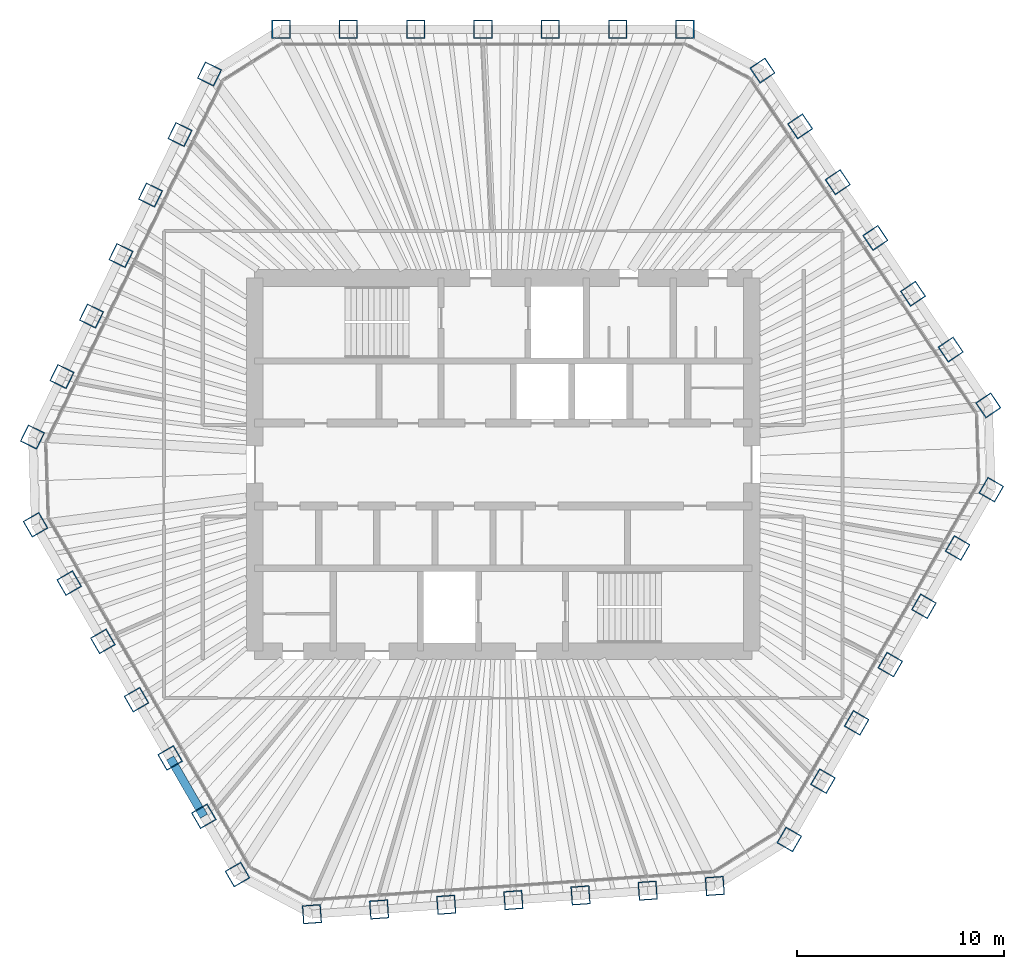
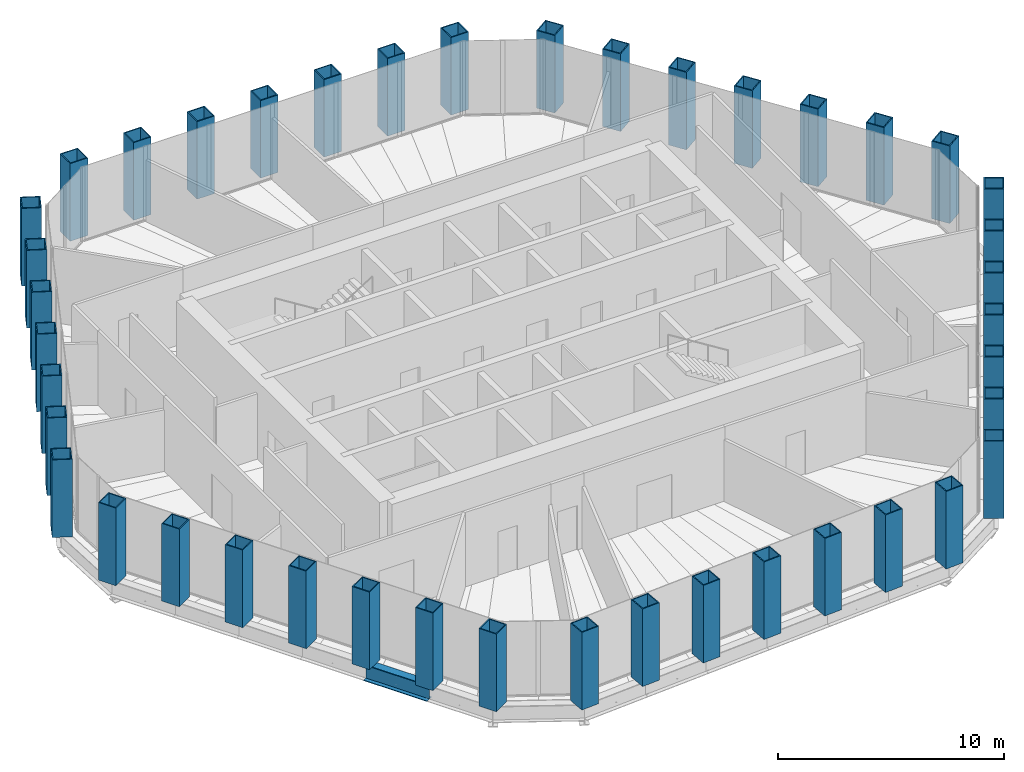
# One storey, part 1 of 14: 42 columns, 1 beam.
"""IFC4 building model written with IfcOpenShell, lengths in metres."""

from ifc_helpers import new_model, si_unit, direction, frame, origin, origin_2d, place, context, subcontext, project, spatial, hollow_rectangle, i_section, extrude, material, material_profile, profile_set, type_object, element, save


model = new_model("IFC4")

# Units and contexts
model_context = context("Model", 3, precision=1e-05, world=origin(), true_north=direction((0.0, 1.0)))
body_context = subcontext(model_context, "Body", "Model", "MODEL_VIEW")
ifc_project = project(units=[si_unit("LENGTHUNIT", "METRE"), si_unit("AREAUNIT", "SQUARE_METRE"), si_unit("VOLUMEUNIT", "CUBIC_METRE"), si_unit("PLANEANGLEUNIT", "RADIAN"), si_unit("MASSUNIT", "GRAM", prefix="KILO")], contexts=[model_context])

# Site, building, storey
site_placement = place(None, origin())
site = spatial("IfcSite", under=ifc_project, at=site_placement, CompositionType="ELEMENT")
building_placement = place(site_placement, origin())
building = spatial("IfcBuilding", under=site, at=building_placement, Name="Qingtian Harvest Tower", CompositionType="ELEMENT")
storey_placement = place(building_placement, frame((0.0, 0.0, 308.199951171875)))
storey = spatial("IfcBuildingStorey", under=building, at=storey_placement, Name="L68", CompositionType="ELEMENT", Elevation=308.199951171875)

# Columns
ifc_material_1 = material(Name="Steel SM570MC", Category="steel")
ifc_material_profile_1 = material_profile(ifc_material_1, hollow_rectangle(XDim=0.89990234375, YDim=0.89990234375, WallThickness=0.050048828125, at=origin_2d()), Name="BOX900x900x50")
ifc_profile_set_1 = profile_set([ifc_material_profile_1], Name="Steel SM570MC")
column_type = type_object("IfcColumnType", Name="Tube column TC8 BOX900x900x50", PredefinedType="COLUMN", material=ifc_profile_set_1)
for number, where, z_axis, x_axis, name in (
    (1, (-10.72216796875, 21.0, 0.0), (0.0, 0.0, 1.0), (-1.0, 0.0, 0.0), "Tube column TC8 N0"),
    (2, (-7.47412109375, 21.0, 0.0), (0.0, 0.0, 1.0), (-1.0, 0.0, 0.0), "Tube column TC8 N1"),
    (3, (-4.226318359375, 21.0, 0.0), (0.0, 0.0, 1.0), (-1.0, 0.0, 0.0), "Tube column TC8 N2"),
    (4, (-0.978271484375, 21.0, 0.0), (0.0, 0.0, 1.0), (-1.0, 0.0, 0.0), "Tube column TC8 N3"),
    (5, (2.269775390625, 21.0, 0.0), (0.0, 0.0, 1.0), (-1.0, 0.0, 0.0), "Tube column TC8 N4"),
    (6, (5.517822265625, 21.0, 0.0), (0.0, 0.0, 1.0), (-1.0, 0.0, 0.0), "Tube column TC8 N5"),
    (7, (8.765869140625, 21.0, 0.0), (0.0, 0.0, 1.0), (-1.0, 0.0, 0.0), "Tube column TC8 N6"),
    (8, (12.508056640625, 19.01025390625, 0.0), (0.0, 0.0, 1.0), (-0.559192903471, 0.829037572555, 0.0), "Tube column TC8 NE0"),
    (9, (14.32421875, 16.317626953125, 0.0), (0.0, 0.0, 1.0), (-0.559192903471, 0.829037572555, 0.0), "Tube column TC8 NE1"),
    (10, (16.140625, 13.624755859375, 0.0), (0.0, 0.0, 1.0), (-0.559192903471, 0.829037572555, 0.0), "Tube column TC8 NE2"),
    (11, (17.956787109375, 10.93212890625, 0.0), (0.0, 0.0, 1.0), (-0.559192903471, 0.829037572555, 0.0), "Tube column TC8 NE3"),
    (12, (19.77294921875, 8.2392578125, 0.0), (0.0, 0.0, 1.0), (-0.559192903471, 0.829037572555, 0.0), "Tube column TC8 NE4"),
    (13, (21.58935546875, 5.546630859375, 0.0), (0.0, 0.0, 1.0), (-0.559192903471, 0.829037572555, 0.0), "Tube column TC8 NE5"),
    (14, (23.405517578125, 2.85400390625, 0.0), (0.0, 0.0, 1.0), (-0.559192903471, 0.829037572555, 0.0), "Tube column TC8 NE6"),
    (15, (23.547607421875, -1.21435546875, 0.0), (0.0, 0.0, 1.0), (0.5, 0.866025403784, 0.0), "Tube column TC8 SE0"),
    (16, (21.923583984375, -4.027099609375, 0.0), (0.0, 0.0, 1.0), (0.5, 0.866025403784, 0.0), "Tube column TC8 SE1"),
    (17, (20.299560546875, -6.840087890625, 0.0), (0.0, 0.0, 1.0), (0.5, 0.866025403784, 0.0), "Tube column TC8 SE2"),
    (18, (18.675537109375, -9.65283203125, 0.0), (0.0, 0.0, 1.0), (0.5, 0.866025403784, 0.0), "Tube column TC8 SE3"),
    (19, (17.051513671875, -12.4658203125, 0.0), (0.0, 0.0, 1.0), (0.5, 0.866025403784, 0.0), "Tube column TC8 SE4"),
    (20, (15.427490234375, -15.278564453125, 0.0), (0.0, 0.0, 1.0), (0.5, 0.866025403784, 0.0), "Tube column TC8 SE5"),
    (21, (13.803466796875, -18.091552734375, 0.0), (0.0, 0.0, 1.0), (0.5, 0.866025403784, 0.0), "Tube column TC8 SE6"),
    (22, (10.20947265625, -20.33740234375, 0.0), (0.0, 0.0, 1.0), (0.99756405026, 0.069756473744, 0.0), "Tube column TC8 S0"),
    (23, (6.96923828125, -20.56396484375, 0.0), (0.0, 0.0, 1.0), (0.99756405026, 0.069756473744, 0.0), "Tube column TC8 S1"),
    (24, (3.729248046875, -20.79052734375, 0.0), (0.0, 0.0, 1.0), (0.99756405026, 0.069756473744, 0.0), "Tube column TC8 S2"),
    (25, (0.489013671875, -21.01708984375, 0.0), (0.0, 0.0, 1.0), (0.99756405026, 0.069756473744, 0.0), "Tube column TC8 S3"),
    (26, (-2.7509765625, -21.24365234375, 0.0), (0.0, 0.0, 1.0), (0.99756405026, 0.069756473744, 0.0), "Tube column TC8 S4"),
    (27, (-5.9912109375, -21.47021484375, 0.0), (0.0, 0.0, 1.0), (0.99756405026, 0.069756473744, 0.0), "Tube column TC8 S5"),
    (28, (-9.231201171875, -21.69677734375, 0.0), (0.0, 0.0, 1.0), (0.99756405026, 0.069756473744, 0.0), "Tube column TC8 S6"),
    (29, (-12.825439453125, -19.78564453125, 0.0), (0.0, 0.0, 1.0), (0.5, -0.866025403784, 0.0), "Tube column TC8 SW0"),
    (30, (-14.449462890625, -16.972900390625, 0.0), (0.0, 0.0, 1.0), (0.5, -0.866025403784, 0.0), "Tube column TC8 SW1"),
    (31, (-16.073486328125, -14.159912109375, 0.0), (0.0, 0.0, 1.0), (0.5, -0.866025403784, 0.0), "Tube column TC8 SW2"),
    (32, (-17.697509765625, -11.34716796875, 0.0), (0.0, 0.0, 1.0), (0.5, -0.866025403784, 0.0), "Tube column TC8 SW3"),
    (33, (-19.321533203125, -8.5341796875, 0.0), (0.0, 0.0, 1.0), (0.5, -0.866025403784, 0.0), "Tube column TC8 SW4"),
    (34, (-20.945556640625, -5.721435546875, 0.0), (0.0, 0.0, 1.0), (0.5, -0.866025403784, 0.0), "Tube column TC8 SW5"),
    (35, (-22.569580078125, -2.908447265625, 0.0), (0.0, 0.0, 1.0), (0.5, -0.866025403784, 0.0), "Tube column TC8 SW6"),
    (36, (-22.71728515625, 1.3271484375, 0.0), (0.0, 0.0, 1.0), (-0.438371146789, -0.898794046299, 0.0), "Tube column TC8 NW0"),
    (37, (-21.29345703125, 4.246337890625, 0.0), (0.0, 0.0, 1.0), (-0.438371146789, -0.898794046299, 0.0), "Tube column TC8 NW1"),
    (38, (-19.86962890625, 7.165771484375, 0.0), (0.0, 0.0, 1.0), (-0.438371146789, -0.898794046299, 0.0), "Tube column TC8 NW2"),
    (39, (-18.44580078125, 10.0849609375, 0.0), (0.0, 0.0, 1.0), (-0.438371146789, -0.898794046299, 0.0), "Tube column TC8 NW3"),
    (40, (-17.02197265625, 13.00439453125, 0.0), (0.0, 0.0, 1.0), (-0.438371146789, -0.898794046299, 0.0), "Tube column TC8 NW4"),
    (41, (-15.59814453125, 15.923583984375, 0.0), (0.0, 0.0, 1.0), (-0.438371146789, -0.898794046299, 0.0), "Tube column TC8 NW5"),
    (42, (-14.17431640625, 18.8427734375, 0.0), (0.0, 0.0, 1.0), (-0.438371146789, -0.898794046299, 0.0), "Tube column TC8 NW6"),
):
    element("IfcColumn", number, at=place(storey_placement, frame(where, z_axis=z_axis, x_axis=x_axis)), inside=storey, type_object=column_type, Name=name, PredefinedType="COLUMN", context=body_context, shape_type="SweptSolid", body=[
        extrude(hollow_rectangle(XDim=0.89990234375, YDim=0.89990234375, WallThickness=0.050048828125, at=origin_2d()), origin(), (0.0, 0.0, 1.0), 4.199951171875),
    ])

# Beam
ifc_material_2 = material(Name="Steel SN490B", Category="steel")
ifc_material_profile_2 = material_profile(ifc_material_2, i_section(OverallWidth=0.39990234375, OverallDepth=0.89990234375, WebThickness=0.01904296875, FlangeThickness=0.035888671875, at=origin_2d()), Name="H900x400x19x36")
ifc_profile_set_2 = profile_set([ifc_material_profile_2], Name="Steel SN490B")
beam_type = type_object("IfcBeamType", Name="Spandrel beam SB4 H900x400x19x36", PredefinedType="SPANDREL", material=ifc_profile_set_2)
beam_placement = place(storey_placement, frame((-14.449462890625, -16.972900390625, -0.449951171875), z_axis=(-0.499987045439, 0.866032882975, 0.0), x_axis=(-0.866032882975, -0.499987045439, 0.0)))
element("IfcBeam", 43, at=beam_placement, inside=storey, type_object=beam_type, Name="Spandrel SB4 SW1", PredefinedType="SPANDREL", context=body_context, shape_type="SweptSolid", body=[
    extrude(i_section(OverallWidth=0.39990234375, OverallDepth=0.89990234375, WebThickness=0.01904296875, FlangeThickness=0.035888671875, at=origin_2d()), origin(), (0.0, 0.0, 1.0), 3.248046875),
])

save(model, "model.ifc")
